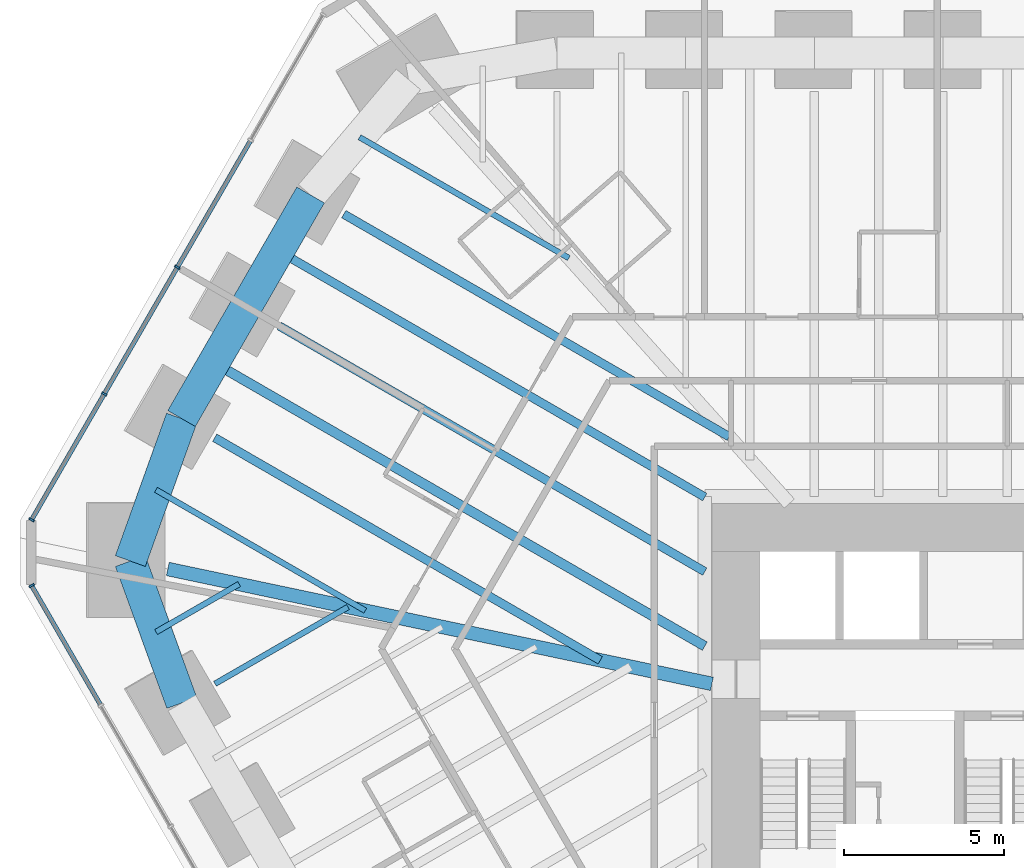
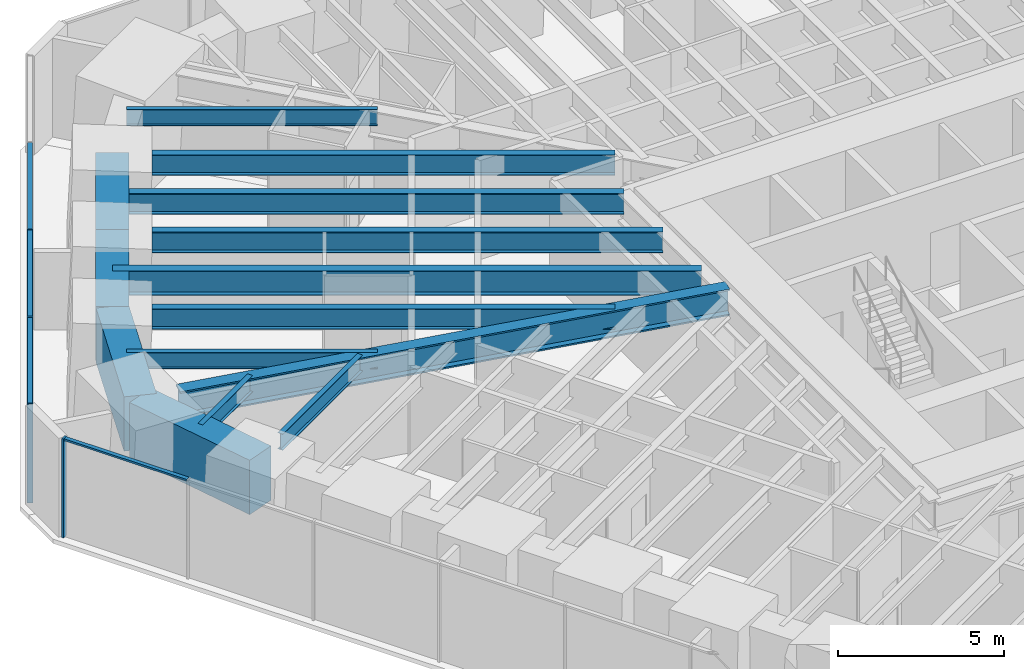
# One storey, part 7 of 17: 14 beams, 8 members, 2 elements without a shape of their own.
"""IFC4 building model written with IfcOpenShell, lengths in metres."""

from ifc_helpers import new_model, si_unit, direction, frame, origin, origin_2d, place, context, subcontext, project, spatial, rectangle, i_section, extrude, material, material_profile, profile_set, type_object, element, aggregate, save


model = new_model("IFC4")

# Units and contexts
model_context = context("Model", 3, precision=1e-05, world=origin(), true_north=direction((0.0, 1.0)))
body_context = subcontext(model_context, "Body", "Model", "MODEL_VIEW")
ifc_project = project(units=[si_unit("LENGTHUNIT", "METRE"), si_unit("AREAUNIT", "SQUARE_METRE"), si_unit("VOLUMEUNIT", "CUBIC_METRE"), si_unit("PLANEANGLEUNIT", "RADIAN"), si_unit("MASSUNIT", "GRAM", prefix="KILO")], contexts=[model_context])

# Site, building, storey
site_placement = place(None, origin())
site = spatial("IfcSite", under=ifc_project, at=site_placement, CompositionType="ELEMENT")
building_placement = place(site_placement, origin())
building = spatial("IfcBuilding", under=site, at=building_placement, Name="Sandreach Pilgrim Tower", CompositionType="ELEMENT")
storey_placement = place(building_placement, frame((0.0, 0.0, 80.0)))
storey = spatial("IfcBuildingStorey", under=building, at=storey_placement, Name="L19", CompositionType="ELEMENT", Elevation=80.0)

# Curtain wall, member
ifc_material_1 = material(Name="Aluminium framed curtain wall", Category="aluminium")
curtain_wall_type = type_object("IfcCurtainWallType", Name="Hostel tower curtain wall", PredefinedType="NOTDEFINED", material=ifc_material_1)
curtain_wall_1_placement = place(storey_placement, origin())
curtain_wall_1 = element("IfcCurtainWall", 1, at=curtain_wall_1_placement, inside=storey, type_object=curtain_wall_type, Name="CW-1 L19 SW", PredefinedType="NOTDEFINED")
ifc_material_2 = material(Name="Aluminium extrusion", Category="aluminium")
ifc_material_profile_1 = material_profile(ifc_material_2, rectangle(XDim=0.06494140625, YDim=0.179931640625, at=origin_2d()), Name="CW-1M 65X180")
ifc_profile_set_1 = profile_set([ifc_material_profile_1], Name="Aluminium extrusion")
member_type_1 = type_object("IfcMemberType", Name="CW-1 mullion", PredefinedType="MULLION", material=ifc_profile_set_1)
member_1_placement = place(storey_placement, frame((-30.56005859375, 5.033935546875, 0.0), z_axis=(0.0, 0.0, 1.0), x_axis=(-0.5, 0.866025403784, 0.0)))
member_1 = element("IfcMember", 2, at=member_1_placement, type_object=member_type_1, Name="CW-1 mullion 10", PredefinedType="MULLION", context=body_context, shape_type="SweptSolid", body=[
    extrude(rectangle(XDim=0.06494140625, YDim=0.179931640625, at=origin_2d()), origin(), (0.0, 0.0, 1.0), 3.639892578125),
])

# Curtain wall, members
curtain_wall_2_placement = place(storey_placement, origin())
curtain_wall_2 = element("IfcCurtainWall", 3, at=curtain_wall_2_placement, inside=storey, type_object=curtain_wall_type, Name="CW-1 L19 NW", PredefinedType="NOTDEFINED")
member_2_placement = place(storey_placement, frame((-30.56005859375, 7.09033203125, 0.0), z_axis=(0.0, 0.0, 1.0), x_axis=(0.5, 0.866025403784, 0.0)))
member_2 = element("IfcMember", 4, at=member_2_placement, type_object=member_type_1, Name="CW-1 mullion 1", PredefinedType="MULLION", context=body_context, shape_type="SweptSolid", body=[
    extrude(rectangle(XDim=0.06494140625, YDim=0.179931640625, at=origin_2d()), origin(), (0.0, 0.0, 1.0), 3.639892578125),
])
member_3_placement = place(storey_placement, frame((-28.283203125, 11.03369140625, 0.0), z_axis=(0.0, 0.0, 1.0), x_axis=(0.5, 0.866025403784, 0.0)))
member_3 = element("IfcMember", 5, at=member_3_placement, type_object=member_type_1, Name="CW-1 mullion 2", PredefinedType="MULLION", context=body_context, shape_type="SweptSolid", body=[
    extrude(rectangle(XDim=0.06494140625, YDim=0.179931640625, at=origin_2d()), origin(), (0.0, 0.0, 1.0), 3.639892578125),
])
member_4_placement = place(storey_placement, frame((-25.990234375, 15.00537109375, 0.0), z_axis=(0.0, 0.0, 1.0), x_axis=(0.5, 0.866025403784, 0.0)))
member_4 = element("IfcMember", 6, at=member_4_placement, type_object=member_type_1, Name="CW-1 mullion 3", PredefinedType="MULLION", context=body_context, shape_type="SweptSolid", body=[
    extrude(rectangle(XDim=0.06494140625, YDim=0.179931640625, at=origin_2d()), origin(), (0.0, 0.0, 1.0), 3.639892578125),
])

# Member
ifc_material_3 = material(Name="Aluminium extrusion", Category="aluminium")
ifc_material_profile_2 = material_profile(ifc_material_3, rectangle(XDim=0.139892578125, YDim=0.070068359375, at=origin_2d()), Name="CW-1T 140X70")
ifc_profile_set_2 = profile_set([ifc_material_profile_2], Name="Aluminium extrusion")
member_type_2 = type_object("IfcMemberType", Name="CW-1 transom", PredefinedType="USERDEFINED", material=ifc_profile_set_2)
member_5_placement = place(storey_placement, frame((-28.40673828125, 1.304443359375, 3.60498046875), z_axis=(-0.499991113271, 0.866030534479, 0.0), x_axis=(-0.866030534479, -0.499991113271, 0.0)))
member_5 = element("IfcMember", 7, at=member_5_placement, type_object=member_type_2, Name="CW-1 head transom 9", ObjectType="TRANSOM", PredefinedType="USERDEFINED", context=body_context, shape_type="SweptSolid", body=[
    extrude(rectangle(XDim=0.139892578125, YDim=0.070068359375, at=origin_2d()), origin(), (0.0, 0.0, 1.0), 4.27392578125),
])

aggregate(curtain_wall_1, [member_1, member_5])

member_6_placement = place(storey_placement, frame((-30.543701171875, 7.118408203125, 3.60498046875), z_axis=(0.499976706761, 0.866038851724, 0.0), x_axis=(-0.866038851724, 0.499976706761, 0.0)))
member_6 = element("IfcMember", 8, at=member_6_placement, type_object=member_type_2, Name="CW-1 head transom 1", ObjectType="TRANSOM", PredefinedType="USERDEFINED", context=body_context, shape_type="SweptSolid", body=[
    extrude(rectangle(XDim=0.139892578125, YDim=0.070068359375, at=origin_2d()), origin(), (0.0, 0.0, 1.0), 4.488525390625),
])

member_7_placement = place(storey_placement, frame((-28.266845703125, 11.06201171875, 3.60498046875), z_axis=(0.500001366228, 0.866024614991, 0.0), x_axis=(-0.866024614991, 0.500001366228, 0.0)))
member_7 = element("IfcMember", 9, at=member_7_placement, type_object=member_type_2, Name="CW-1 head transom 2", ObjectType="TRANSOM", PredefinedType="USERDEFINED", context=body_context, shape_type="SweptSolid", body=[
    extrude(rectangle(XDim=0.139892578125, YDim=0.070068359375, at=origin_2d()), origin(), (0.0, 0.0, 1.0), 4.52099609375),
])

member_8_placement = place(storey_placement, frame((-25.973876953125, 15.03369140625, 3.60498046875), z_axis=(0.500001366228, 0.866024614991, 0.0), x_axis=(-0.866024614991, 0.500001366228, 0.0)))
member_8 = element("IfcMember", 10, at=member_8_placement, type_object=member_type_2, Name="CW-1 head transom 3", ObjectType="TRANSOM", PredefinedType="USERDEFINED", context=body_context, shape_type="SweptSolid", body=[
    extrude(rectangle(XDim=0.139892578125, YDim=0.070068359375, at=origin_2d()), origin(), (0.0, 0.0, 1.0), 4.52099609375),
])

aggregate(curtain_wall_2, [member_2, member_3, member_4, member_6, member_7, member_8])

# Beams
ifc_material_4 = material(Name="Steel ASTM A992 Grade 50", Category="steel")
ifc_material_profile_3 = material_profile(ifc_material_4, i_section(OverallWidth=0.4267578125, OverallDepth=0.975341796875, WebThickness=0.031005859375, FlangeThickness=0.055908203125, at=origin_2d()), Name="W36X395")
ifc_profile_set_3 = profile_set([ifc_material_profile_3], Name="Steel ASTM A992 Grade 50")
beam_type_1 = type_object("IfcBeamType", Name="Corner girder W36X395", PredefinedType="BEAM", material=ifc_profile_set_3)
beam_1_placement = place(storey_placement, frame((-26.292236328125, 5.55126953125, 3.15234375), z_axis=(0.978427516424, -0.206590404191, 0.0), x_axis=(0.206590404191, 0.978427516424, 0.0)))
element("IfcBeam", 11, at=beam_1_placement, inside=storey, type_object=beam_type_1, Name="BM L19 CG35", PredefinedType="BEAM", context=body_context, shape_type="SweptSolid", body=[
    extrude(i_section(OverallWidth=0.4267578125, OverallDepth=0.975341796875, WebThickness=0.031005859375, FlangeThickness=0.055908203125, at=origin_2d()), origin(), (0.0, 0.0, 1.0), 17.41796875),
])
ifc_material_5 = material(Name="Steel ASTM A992 Grade 50", Category="steel")
ifc_material_profile_4 = material_profile(ifc_material_5, i_section(OverallWidth=0.1787109375, OverallDepth=0.60205078125, WebThickness=0.010986328125, FlangeThickness=0.014892578125, at=origin_2d()), Name="W24X62")
ifc_profile_set_4 = profile_set([ifc_material_profile_4], Name="Steel ASTM A992 Grade 50")
beam_type_2 = type_object("IfcBeamType", Name="Floor beam W24X62", PredefinedType="BEAM", material=ifc_profile_set_4)
beam_2_placement = place(storey_placement, frame((-24.8134765625, 1.955322265625, 3.339111328125), z_axis=(0.866035096217, 0.499983211839, 0.0), x_axis=(-0.499983211839, 0.866035096217, 0.0)))
element("IfcBeam", 12, at=beam_2_placement, inside=storey, type_object=beam_type_2, Name="BM L19 F34", PredefinedType="BEAM", context=body_context, shape_type="SweptSolid", body=[
    extrude(i_section(OverallWidth=0.1787109375, OverallDepth=0.60205078125, WebThickness=0.010986328125, FlangeThickness=0.014892578125, at=origin_2d()), origin(), (0.0, 0.0, 1.0), 4.808837890625),
])
beam_3_placement = place(storey_placement, frame((-26.659423828125, 3.5771484375, 3.339111328125), z_axis=(0.866019133895, 0.500010859609, 0.0), x_axis=(-0.500010859609, 0.866019133895, 0.0)))
element("IfcBeam", 13, at=beam_3_placement, inside=storey, type_object=beam_type_2, Name="BM L19 FM34", PredefinedType="BEAM", context=body_context, shape_type="SweptSolid", body=[
    extrude(i_section(OverallWidth=0.1787109375, OverallDepth=0.60205078125, WebThickness=0.010986328125, FlangeThickness=0.014892578125, at=origin_2d()), origin(), (0.0, 0.0, 1.0), 3.00439453125),
])
beam_4_placement = place(storey_placement, frame((-26.66455078125, 8.03125, 3.339111328125), z_axis=(0.86602021339, -0.50000898992, 0.0), x_axis=(0.50000898992, 0.86602021339, 0.0)))
element("IfcBeam", 14, at=beam_4_placement, inside=storey, type_object=beam_type_2, Name="BM L19 FM35", PredefinedType="BEAM", context=body_context, shape_type="SweptSolid", body=[
    extrude(i_section(OverallWidth=0.1787109375, OverallDepth=0.60205078125, WebThickness=0.010986328125, FlangeThickness=0.014892578125, at=origin_2d()), origin(), (0.0, 0.0, 1.0), 7.572021484375),
])
beam_5_placement = place(storey_placement, frame((-20.287353515625, 19.076416015625, 3.339111328125), z_axis=(0.866026114163, -0.499998769586, 0.0), x_axis=(0.499998769586, 0.866026114163, 0.0)))
element("IfcBeam", 15, at=beam_5_placement, inside=storey, type_object=beam_type_2, Name="BM L19 FM38", PredefinedType="BEAM", context=body_context, shape_type="SweptSolid", body=[
    extrude(i_section(OverallWidth=0.1787109375, OverallDepth=0.60205078125, WebThickness=0.010986328125, FlangeThickness=0.014892578125, at=origin_2d()), origin(), (0.0, 0.0, 1.0), 7.57177734375),
])
ifc_material_6 = material(Name="Steel ASTM A992 Grade 50", Category="steel")
ifc_material_profile_5 = material_profile(ifc_material_6, i_section(OverallWidth=0.2666015625, OverallDepth=0.761962890625, WebThickness=0.014404296875, FlangeThickness=0.021484375, at=origin_2d()), Name="W30X116")
ifc_profile_set_5 = profile_set([ifc_material_profile_5], Name="Steel ASTM A992 Grade 50")
beam_type_3 = type_object("IfcBeamType", Name="Floor beam W30X116", PredefinedType="BEAM", material=ifc_profile_set_5)
for number, where, z_axis, x_axis, name in (
    (16, (-24.8232421875, 9.663330078125, 3.259033203125), (0.866024638156, -0.500001326105, 0.0), (0.500001326105, 0.866024638156, 0.0), "BM L19 F36"),
    (17, (-20.7802734375, 16.666015625, 3.259033203125), (0.866017056538, -0.500014457576, 0.0), (0.500014457576, 0.866017056538, 0.0), "BM L19 F38"),
):
    element("IfcBeam", number, at=place(storey_placement, frame(where, z_axis=z_axis, x_axis=x_axis)), inside=storey, type_object=beam_type_3, Name=name, PredefinedType="BEAM", context=body_context, shape_type="SweptSolid", body=[
        extrude(i_section(OverallWidth=0.2666015625, OverallDepth=0.761962890625, WebThickness=0.014404296875, FlangeThickness=0.021484375, at=origin_2d()), origin(), (0.0, 0.0, 1.0), 13.94384765625),
    ])
ifc_material_7 = material(Name="Steel ASTM A992 Grade 50", Category="steel")
ifc_material_profile_6 = material_profile(ifc_material_7, i_section(OverallWidth=0.2666015625, OverallDepth=0.77978515625, WebThickness=0.0166015625, FlangeThickness=0.030029296875, at=origin_2d()), Name="W30X148")
ifc_profile_set_6 = profile_set([ifc_material_profile_6], Name="Steel ASTM A992 Grade 50")
beam_type_4 = type_object("IfcBeamType", Name="Floor beam W30X148", PredefinedType="BEAM", material=ifc_profile_set_6)
beam_6_placement = place(storey_placement, frame((-22.8017578125, 13.16455078125, 3.25), z_axis=(0.86602657139, -0.499997977643, 0.0), x_axis=(0.499997977643, 0.86602657139, 0.0)))
element("IfcBeam", 18, at=beam_6_placement, inside=storey, type_object=beam_type_4, Name="BM L19 F37", PredefinedType="BEAM", context=body_context, shape_type="SweptSolid", body=[
    extrude(i_section(OverallWidth=0.2666015625, OverallDepth=0.77978515625, WebThickness=0.0166015625, FlangeThickness=0.030029296875, at=origin_2d()), origin(), (0.0, 0.0, 1.0), 15.3916015625),
])
beam_7_placement = place(storey_placement, frame((-22.830322265625, 15.515380859375, 3.25), z_axis=(0.866023484601, -0.500003324108, 0.0), x_axis=(0.500003324108, 0.866023484601, 0.0)))
element("IfcBeam", 19, at=beam_7_placement, inside=storey, type_object=beam_type_4, Name="BM L19 FM37", PredefinedType="BEAM", context=body_context, shape_type="SweptSolid", body=[
    extrude(i_section(OverallWidth=0.2666015625, OverallDepth=0.77978515625, WebThickness=0.0166015625, FlangeThickness=0.030029296875, at=origin_2d()), origin(), (0.0, 0.0, 1.0), 15.4248046875),
])
ifc_material_8 = material(Name="Steel ASTM A992 Grade 50", Category="steel")
ifc_material_profile_7 = material_profile(ifc_material_8, i_section(OverallWidth=0.3046875, OverallDepth=0.914306640625, WebThickness=0.0166015625, FlangeThickness=0.02587890625, at=origin_2d()), Name="W36X160")
ifc_profile_set_7 = profile_set([ifc_material_profile_7], Name="Steel ASTM A992 Grade 50")
beam_type_5 = type_object("IfcBeamType", Name="Floor beam W36X160", PredefinedType="BEAM", material=ifc_profile_set_7)
beam_8_placement = place(storey_placement, frame((-24.851806640625, 12.013916015625, 3.182861328125), z_axis=(0.866026476533, -0.49999814194, 0.0), x_axis=(0.49999814194, 0.866026476533, 0.0)))
element("IfcBeam", 20, at=beam_8_placement, inside=storey, type_object=beam_type_5, Name="BM L19 FM36", PredefinedType="BEAM", context=body_context, shape_type="SweptSolid", body=[
    extrude(i_section(OverallWidth=0.3046875, OverallDepth=0.914306640625, WebThickness=0.0166015625, FlangeThickness=0.02587890625, at=origin_2d()), origin(), (0.0, 0.0, 1.0), 17.7587890625),
])
ifc_material_9 = material(Name="Concrete 10000 psi", Category="concrete")
ifc_material_profile_8 = material_profile(ifc_material_9, rectangle(XDim=1.0, YDim=2.0, at=origin_2d()), Name="RC1000X2000")
ifc_profile_set_8 = profile_set([ifc_material_profile_8], Name="Concrete 10000 psi")
beam_type_6 = type_object("IfcBeamType", Name="Spandrel beam RC1000X2000", PredefinedType="SPANDREL", material=ifc_profile_set_8)
beam_9_placement = place(storey_placement, frame((-25.8525390625, 1.355224609375, 2.639892578125), z_axis=(-0.341336700366, 0.939941092294, 0.0), x_axis=(-0.939941092294, -0.341336700366, 0.0)))
element("IfcBeam", 21, at=beam_9_placement, inside=storey, type_object=beam_type_6, Name="BM L19 SP34", PredefinedType="SPANDREL", context=body_context, shape_type="SweptSolid", body=[
    extrude(rectangle(XDim=1.0, YDim=2.0, at=origin_2d()), origin(), (0.0, 0.0, 1.0), 4.727783203125),
])
beam_10_placement = place(storey_placement, frame((-27.46630859375, 5.799072265625, 2.639892578125), z_axis=(0.338083349669, 0.941116171722, 0.0), x_axis=(-0.941116171722, 0.338083349669, 0.0)))
element("IfcBeam", 22, at=beam_10_placement, inside=storey, type_object=beam_type_6, Name="BM L19 SP35", PredefinedType="SPANDREL", context=body_context, shape_type="SweptSolid", body=[
    extrude(rectangle(XDim=1.0, YDim=2.0, at=origin_2d()), origin(), (0.0, 0.0, 1.0), 4.74365234375),
])
for number, where, z_axis, x_axis, name in (
    (23, (-25.862548828125, 10.263427734375, 2.639892578125), (0.500009954402, 0.866019656531, 0.0), (-0.866019656531, 0.500009954402, 0.0), "BM L19 SP36"),
    (24, (-23.841064453125, 13.7646484375, 2.639892578125), (0.500009954402, 0.866019656531, 0.0), (-0.866019656531, 0.500009954402, 0.0), "BM L19 SP37"),
):
    element("IfcBeam", number, at=place(storey_placement, frame(where, z_axis=z_axis, x_axis=x_axis)), inside=storey, type_object=beam_type_6, Name=name, PredefinedType="SPANDREL", context=body_context, shape_type="SweptSolid", body=[
        extrude(rectangle(XDim=1.0, YDim=2.0, at=origin_2d()), origin(), (0.0, 0.0, 1.0), 4.04296875),
    ])

save(model, "model.ifc")
